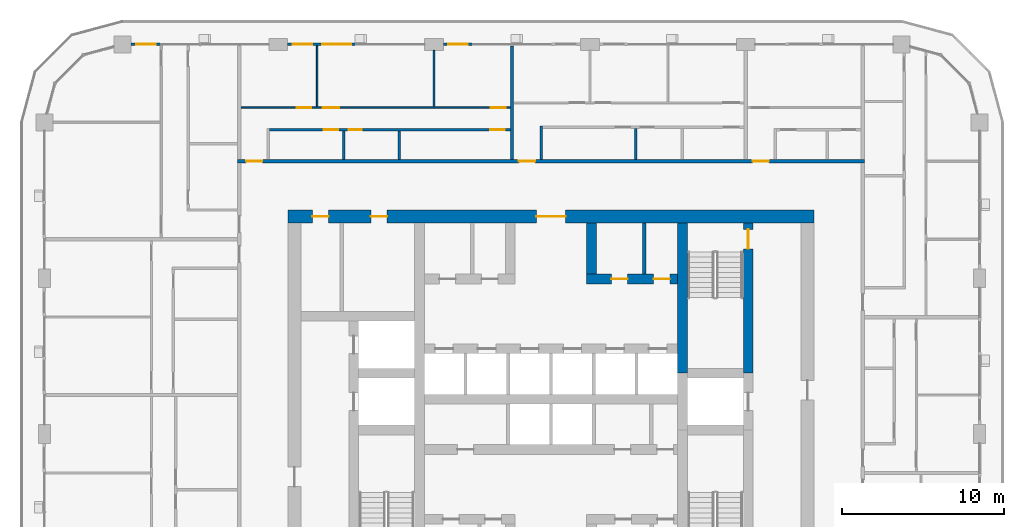
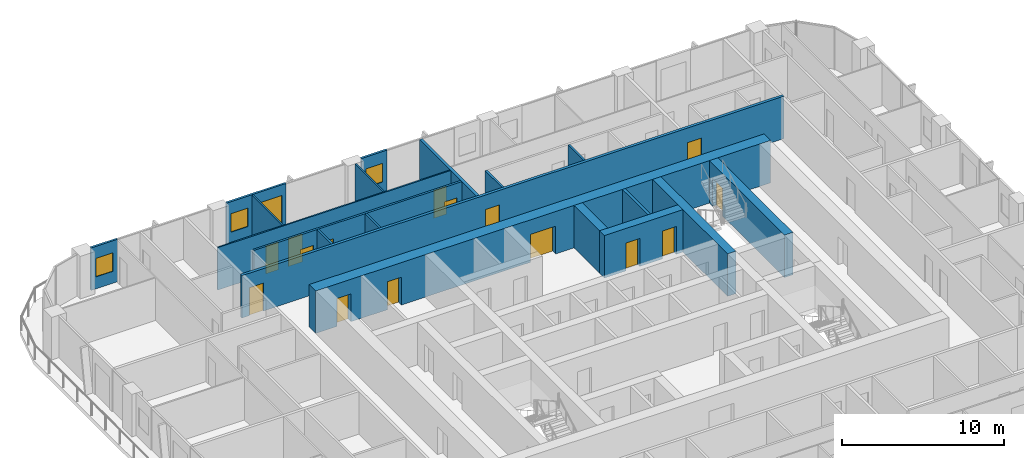
# One storey, part 14 of 22: 19 walls, 16 doors, 3 windows, 19 openings.
"""IFC4 building model written with IfcOpenShell, lengths in metres."""

from ifc_helpers import new_model, si_unit, direction, frame, frame_2d, origin, place, context, subcontext, project, spatial, rectangle, extrude, material, layer, layer_set, type_object, element, fill, save


model = new_model("IFC4")

# Units and contexts
model_context = context("Model", 3, precision=1e-05, world=origin(), true_north=direction((0.0, 1.0)))
body_context = subcontext(model_context, "Body", "Model", "MODEL_VIEW")
ifc_project = project(units=[si_unit("LENGTHUNIT", "METRE"), si_unit("AREAUNIT", "SQUARE_METRE"), si_unit("VOLUMEUNIT", "CUBIC_METRE"), si_unit("PLANEANGLEUNIT", "RADIAN"), si_unit("MASSUNIT", "GRAM", prefix="KILO")], contexts=[model_context])

# Site, building, storey
site_placement = place(None, origin())
site = spatial("IfcSite", under=ifc_project, at=site_placement, CompositionType="ELEMENT")
building_placement = place(site_placement, origin())
building = spatial("IfcBuilding", under=site, at=building_placement, Name="Madar Terraces", CompositionType="ELEMENT")
storey_placement = place(building_placement, frame((0.0, 0.0, 159.5)))
storey = spatial("IfcBuildingStorey", under=building, at=storey_placement, Name="L41", CompositionType="ELEMENT", Elevation=159.5)

# Wall
ifc_material_1 = material(Name="Concrete C70/85", Category="concrete")
ifc_layer_1 = layer(ifc_material_1, 0.60009765625)
ifc_layer_set_1 = layer_set([ifc_layer_1], Name="Concrete C70/85 (CIW3 RC wall 600)")
wall_type_1 = type_object("IfcWallType", Name="CIW3 RC wall 600", PredefinedType="SHEAR", material=ifc_layer_set_1)
wall_1_placement = place(storey_placement, frame((39.300048828125, 27.75, 0.0), z_axis=(0.0, 0.0, 1.0), x_axis=(0.0, 1.0, 0.0)))
element("IfcWall", 1, at=wall_1_placement, inside=storey, type_object=wall_type_1, Name="CORE SHAFT WALL", PredefinedType="SHEAR", context=body_context, shape_type="SweptSolid", body=[
    extrude(rectangle(XDim=9.25, YDim=0.60009765625, at=frame_2d((4.625, 0.0))), origin(), (0.0, 0.0, 1.0), 3.199951171875),
])

# Wall, opening, door
wall_2_placement = place(storey_placement, frame((43.35009765625, 27.75, 0.0), z_axis=(0.0, 0.0, 1.0), x_axis=(0.0, 1.0, 0.0)))
wall_2 = element("IfcWall", 2, at=wall_2_placement, inside=storey, type_object=wall_type_1, Name="CORE SHAFT WALL", PredefinedType="SHEAR", context=body_context, shape_type="SweptSolid", body=[
    extrude(rectangle(XDim=9.25, YDim=0.60009765625, at=frame_2d((4.625, 0.0))), origin(), (0.0, 0.0, 1.0), 3.199951171875),
])
opening_1_placement = place(wall_2_placement, frame((7.64990234375, 0.0, 0.0)))
opening_1 = element("IfcOpeningElement", 3, at=opening_1_placement, cuts=wall_2, Name="Opening SD1", PredefinedType="OPENING", context=body_context, shape_type="SweptSolid", body=[
    extrude(rectangle(XDim=1.199951171875, YDim=2.10009765625, at=frame_2d((0.60009765625, 1.050048828125))), frame((0.0, 0.31005859375, 0.0), z_axis=(0.0, -1.0, 0.0), x_axis=(1.0, 0.0, 0.0)), (0.0, 0.0, 1.0), 0.6201171875),
])
ifc_material_2 = material(Name="Steel door leaf", Category="steel")
door_type_1 = type_object("IfcDoorType", Name="Stair door 1200 x 2100", OperationType="NOTDEFINED", PredefinedType="DOOR", material=ifc_material_2)
door_1_placement = place(opening_1_placement, origin())
door_1 = element("IfcDoor", 4, at=door_1_placement, inside=storey, type_object=door_type_1, Name="STAIR DOOR", OperationType="SINGLE_SWING_LEFT", OverallHeight=2.10009765625, OverallWidth=1.199951171875, PredefinedType="DOOR", context=body_context, shape_type="SweptSolid", body=[
    extrude(rectangle(XDim=1.199951171875, YDim=2.10009765625, at=frame_2d((0.60009765625, 1.050048828125))), frame((0.0, 0.02490234375, 0.0), z_axis=(0.0, -1.0, 0.0), x_axis=(1.0, 0.0, 0.0)), (0.0, 0.0, 1.0), 0.050048828125),
])
fill(opening_1, door_1)

# Wall, openings, doors
wall_3_placement = place(storey_placement, frame((33.39990234375, 33.550048828125, 0.0), z_axis=(0.0, 0.0, 1.0), x_axis=(1.0, 0.0, 0.0)))
wall_3 = element("IfcWall", 5, at=wall_3_placement, inside=storey, type_object=wall_type_1, Name="CORE SHAFT WALL", PredefinedType="SHEAR", context=body_context, shape_type="SweptSolid", body=[
    extrude(rectangle(XDim=5.60009765625, YDim=0.60009765625, at=frame_2d((2.800048828125, 0.0))), origin(), (0.0, 0.0, 1.0), 3.199951171875),
])
opening_2_placement = place(wall_3_placement, frame((1.52490234375, 0.0, 0.0)))
opening_2 = element("IfcOpeningElement", 6, at=opening_2_placement, cuts=wall_3, Name="Opening KD2", PredefinedType="OPENING", context=body_context, shape_type="SweptSolid", body=[
    extrude(rectangle(XDim=1.0, YDim=2.10009765625, at=frame_2d((0.5, 1.050048828125))), frame((0.0, 0.31005859375, 0.0), z_axis=(0.0, -1.0, 0.0), x_axis=(1.0, 0.0, 0.0)), (0.0, 0.0, 1.0), 0.6201171875),
])
opening_3_placement = place(wall_3_placement, frame((4.125, 0.0, 0.0)))
opening_3 = element("IfcOpeningElement", 7, at=opening_3_placement, cuts=wall_3, Name="Opening KD2", PredefinedType="OPENING", context=body_context, shape_type="SweptSolid", body=[
    extrude(rectangle(XDim=1.0, YDim=2.10009765625, at=frame_2d((0.5, 1.050048828125))), frame((0.0, 0.31005859375, 0.0), z_axis=(0.0, -1.0, 0.0), x_axis=(1.0, 0.0, 0.0)), (0.0, 0.0, 1.0), 0.6201171875),
])
ifc_material_3 = material(Name="Steel door leaf", Category="steel")
door_type_2 = type_object("IfcDoorType", Name="Service room door 1000 x 2100", OperationType="NOTDEFINED", PredefinedType="DOOR", material=ifc_material_3)
door_2_placement = place(opening_2_placement, frame((1.0, 0.0, 0.0), z_axis=(0.0, 0.0, 1.0), x_axis=(-1.0, 0.0, 0.0)))
door_2 = element("IfcDoor", 8, at=door_2_placement, inside=storey, type_object=door_type_2, Name="SERVICE ROOM DOOR", OperationType="SINGLE_SWING_LEFT", OverallHeight=2.10009765625, OverallWidth=1.0, PredefinedType="DOOR", context=body_context, shape_type="SweptSolid", body=[
    extrude(rectangle(XDim=1.0, YDim=2.10009765625, at=frame_2d((0.5, 1.050048828125))), frame((0.0, 0.02490234375, 0.0), z_axis=(0.0, -1.0, 0.0), x_axis=(1.0, 0.0, 0.0)), (0.0, 0.0, 1.0), 0.050048828125),
])
fill(opening_2, door_2)
door_3_placement = place(opening_3_placement, frame((1.0, 0.0, 0.0), z_axis=(0.0, 0.0, 1.0), x_axis=(-1.0, 0.0, 0.0)))
door_3 = element("IfcDoor", 9, at=door_3_placement, inside=storey, type_object=door_type_2, Name="SERVICE ROOM DOOR", OperationType="SINGLE_SWING_RIGHT", OverallHeight=2.10009765625, OverallWidth=1.0, PredefinedType="DOOR", context=body_context, shape_type="SweptSolid", body=[
    extrude(rectangle(XDim=1.0, YDim=2.10009765625, at=frame_2d((0.5, 1.050048828125))), frame((0.0, 0.02490234375, 0.0), z_axis=(0.0, -1.0, 0.0), x_axis=(1.0, 0.0, 0.0)), (0.0, 0.0, 1.0), 0.050048828125),
])
fill(opening_3, door_3)

# Wall
wall_4_placement = place(storey_placement, frame((33.699951171875, 33.85009765625, 0.0), z_axis=(0.0, 0.0, 1.0), x_axis=(0.0, 1.0, 0.0)))
element("IfcWall", 10, at=wall_4_placement, inside=storey, type_object=wall_type_1, Name="CORE SHAFT WALL", PredefinedType="SHEAR", context=body_context, shape_type="SweptSolid", body=[
    extrude(rectangle(XDim=3.14990234375, YDim=0.60009765625, at=frame_2d((1.574951171875, 0.0))), origin(), (0.0, 0.0, 1.0), 3.199951171875),
])

# Wall, openings, doors
ifc_material_4 = material(Name="Concrete C70/85", Category="concrete")
ifc_layer_2 = layer(ifc_material_4, 0.800048828125)
ifc_layer_set_2 = layer_set([ifc_layer_2], Name="Concrete C70/85 (CRW3 RC wall 800)")
wall_type_2 = type_object("IfcWallType", Name="CRW3 RC wall 800", PredefinedType="SHEAR", material=ifc_layer_set_2)
wall_5_placement = place(storey_placement, frame((15.0, 37.39990234375, 0.0), z_axis=(0.0, 0.0, 1.0), x_axis=(1.0, 0.0, 0.0)))
wall_5 = element("IfcWall", 11, at=wall_5_placement, inside=storey, type_object=wall_type_2, Name="CORE OUTER WALL", PredefinedType="SHEAR", context=body_context, shape_type="SweptSolid", body=[
    extrude(rectangle(XDim=32.39990234375, YDim=0.800048828125, at=frame_2d((16.199951171875, 0.0))), origin(), (0.0, 0.0, 1.0), 3.199951171875),
])
opening_4_placement = place(wall_5_placement, frame((15.300048828125, 0.0, 0.0)))
opening_4 = element("IfcOpeningElement", 12, at=opening_4_placement, cuts=wall_5, Name="Opening KD1", PredefinedType="OPENING", context=body_context, shape_type="SweptSolid", body=[
    extrude(rectangle(XDim=1.800048828125, YDim=2.10009765625, at=frame_2d((0.89990234375, 1.050048828125))), frame((0.0, 0.409912109375, 0.0), z_axis=(0.0, -1.0, 0.0), x_axis=(1.0, 0.0, 0.0)), (0.0, 0.0, 1.0), 0.820068359375),
])
opening_5_placement = place(wall_5_placement, frame((1.510009765625, 0.0, 0.0)))
opening_5 = element("IfcOpeningElement", 13, at=opening_5_placement, cuts=wall_5, Name="Opening KD2", PredefinedType="OPENING", context=body_context, shape_type="SweptSolid", body=[
    extrude(rectangle(XDim=1.0, YDim=2.10009765625, at=frame_2d((0.5, 1.050048828125))), frame((0.0, 0.409912109375, 0.0), z_axis=(0.0, -1.0, 0.0), x_axis=(1.0, 0.0, 0.0)), (0.0, 0.0, 1.0), 0.820068359375),
])
opening_6_placement = place(wall_5_placement, frame((5.110107421875, 0.0, 0.0)))
opening_6 = element("IfcOpeningElement", 14, at=opening_6_placement, cuts=wall_5, Name="Opening KD2", PredefinedType="OPENING", context=body_context, shape_type="SweptSolid", body=[
    extrude(rectangle(XDim=1.0, YDim=2.10009765625, at=frame_2d((0.5, 1.050048828125))), frame((0.0, 0.409912109375, 0.0), z_axis=(0.0, -1.0, 0.0), x_axis=(1.0, 0.0, 0.0)), (0.0, 0.0, 1.0), 0.820068359375),
])
ifc_material_5 = material(Name="Steel door leaf", Category="steel")
door_type_3 = type_object("IfcDoorType", Name="Lobby door pair 1800 x 2100", OperationType="DOUBLE_DOOR_SINGLE_SWING", PredefinedType="DOOR", material=ifc_material_5)
door_4_placement = place(opening_4_placement, origin())
door_4 = element("IfcDoor", 15, at=door_4_placement, inside=storey, type_object=door_type_3, Name="LIFT LOBBY DOOR", OperationType="DOUBLE_DOOR_SINGLE_SWING", OverallHeight=2.10009765625, OverallWidth=1.800048828125, PredefinedType="DOOR", context=body_context, shape_type="SweptSolid", body=[
    extrude(rectangle(XDim=1.800048828125, YDim=2.10009765625, at=frame_2d((0.89990234375, 1.050048828125))), frame((0.0, 0.02490234375, 0.0), z_axis=(0.0, -1.0, 0.0), x_axis=(1.0, 0.0, 0.0)), (0.0, 0.0, 1.0), 0.050048828125),
])
fill(opening_4, door_4)
door_5_placement = place(opening_5_placement, origin())
door_5 = element("IfcDoor", 16, at=door_5_placement, inside=storey, type_object=door_type_2, Name="SERVICE ROOM DOOR", OperationType="SINGLE_SWING_RIGHT", OverallHeight=2.10009765625, OverallWidth=1.0, PredefinedType="DOOR", context=body_context, shape_type="SweptSolid", body=[
    extrude(rectangle(XDim=1.0, YDim=2.10009765625, at=frame_2d((0.5, 1.050048828125))), frame((0.0, 0.02490234375, 0.0), z_axis=(0.0, -1.0, 0.0), x_axis=(1.0, 0.0, 0.0)), (0.0, 0.0, 1.0), 0.050048828125),
])
fill(opening_5, door_5)
door_6_placement = place(opening_6_placement, origin())
door_6 = element("IfcDoor", 17, at=door_6_placement, inside=storey, type_object=door_type_2, Name="SERVICE ROOM DOOR", OperationType="SINGLE_SWING_LEFT", OverallHeight=2.10009765625, OverallWidth=1.0, PredefinedType="DOOR", context=body_context, shape_type="SweptSolid", body=[
    extrude(rectangle(XDim=1.0, YDim=2.10009765625, at=frame_2d((0.5, 1.050048828125))), frame((0.0, 0.02490234375, 0.0), z_axis=(0.0, -1.0, 0.0), x_axis=(1.0, 0.0, 0.0)), (0.0, 0.0, 1.0), 0.050048828125),
])
fill(opening_6, door_6)

# Wall
ifc_material_6 = material(Name="Masonry blockwork", Category="masonry")
ifc_layer_3 = layer(ifc_material_6, 0.199951171875)
ifc_layer_set_3 = layer_set([ifc_layer_3], Name="Core partition 200 blockwork")
wall_type_3 = type_object("IfcWallType", Name="Core partition 200 blockwork", PredefinedType="PARTITIONING", material=ifc_layer_set_3)
wall_6_placement = place(storey_placement, frame((36.949951171875, 33.85009765625, 0.0), z_axis=(0.0, 0.0, 1.0), x_axis=(0.0, 1.0, 0.0)))
element("IfcWall", 18, at=wall_6_placement, inside=storey, type_object=wall_type_3, Name="SERVICE ROOM PARTITION", PredefinedType="PARTITIONING", context=body_context, shape_type="SweptSolid", body=[
    extrude(rectangle(XDim=3.14990234375, YDim=0.199951171875, at=frame_2d((1.574951171875, 0.0))), origin(), (0.0, 0.0, 1.0), 3.199951171875),
])

# Wall, opening, window
ifc_material_7 = material(Name="Aluminium composite panel, black, over insulated backing", Category="aluminium")
ifc_layer_4 = layer(ifc_material_7, 0.14990234375)
ifc_layer_set_4 = layer_set([ifc_layer_4], Name="Facade bay panel 150")
wall_type_4 = type_object("IfcWallType", Name="Facade bay panel 150", PredefinedType="SOLIDWALL", material=ifc_layer_set_4)
wall_7_placement = place(storey_placement, frame((26.39990234375, 48.0, 0.0), z_axis=(0.0, 0.0, 1.0), x_axis=(-1.0, 0.0, 0.0)))
wall_7 = element("IfcWall", 19, at=wall_7_placement, inside=storey, type_object=wall_type_4, Name="Facade bay panel", PredefinedType="SOLIDWALL", context=body_context, shape_type="SweptSolid", body=[
    extrude(rectangle(XDim=1.824951171875, YDim=0.14990234375, at=frame_2d((0.91259765625, 0.0))), origin(), (0.0, 0.0, 1.0), 3.199951171875),
])
opening_7_placement = place(wall_7_placement, frame((0.3125, 0.0, 0.89990234375)))
opening_7 = element("IfcOpeningElement", 20, at=opening_7_placement, cuts=wall_7, Name="Opening W1", PredefinedType="OPENING", context=body_context, shape_type="SweptSolid", body=[
    extrude(rectangle(XDim=1.199951171875, YDim=1.39990234375, at=frame_2d((0.60009765625, 0.699951171875))), frame((0.0, 0.0849609375, 0.0), z_axis=(0.0, -1.0, 0.0), x_axis=(1.0, 0.0, 0.0)), (0.0, 0.0, 1.0), 0.169921875),
])
ifc_material_8 = material(Name="Glass, clear, with black aluminium frame", Category="aluminium")
window_type = type_object("IfcWindowType", Name="Vent window 1200 x 1400", PartitioningType="SINGLE_PANEL", PredefinedType="WINDOW", material=ifc_material_8)
window_1_placement = place(opening_7_placement, origin())
window_1 = element("IfcWindow", 21, at=window_1_placement, inside=storey, type_object=window_type, Name="Operable vent window", OverallHeight=1.39990234375, OverallWidth=1.199951171875, PartitioningType="SINGLE_PANEL", PredefinedType="WINDOW", context=body_context, shape_type="SweptSolid", body=[
    extrude(rectangle(XDim=1.199951171875, YDim=1.39990234375, at=frame_2d((0.60009765625, 0.699951171875))), frame((0.0, 0.030029296875, 0.0), z_axis=(0.0, -1.0, 0.0), x_axis=(1.0, 0.0, 0.0)), (0.0, 0.0, 1.0), 0.06005859375),
])
fill(opening_7, window_1)

# Wall, openings, door, window
wall_8_placement = place(storey_placement, frame((19.199951171875, 48.0, 0.0), z_axis=(0.0, 0.0, 1.0), x_axis=(-1.0, 0.0, 0.0)))
wall_8 = element("IfcWall", 22, at=wall_8_placement, inside=storey, type_object=wall_type_4, Name="Facade bay panel", PredefinedType="SOLIDWALL", context=body_context, shape_type="SweptSolid", body=[
    extrude(rectangle(XDim=4.224853515625, YDim=0.14990234375, at=frame_2d((2.1123046875, 0.0))), origin(), (0.0, 0.0, 1.0), 3.199951171875),
])
opening_8_placement = place(wall_8_placement, frame((0.300048828125, 0.0, 0.0)))
opening_8 = element("IfcOpeningElement", 23, at=opening_8_placement, cuts=wall_8, Name="Opening ED1", PredefinedType="OPENING", context=body_context, shape_type="SweptSolid", body=[
    extrude(rectangle(XDim=1.800048828125, YDim=2.39990234375, at=frame_2d((0.89990234375, 1.199951171875))), frame((0.0, 0.0849609375, 0.0), z_axis=(0.0, -1.0, 0.0), x_axis=(1.0, 0.0, 0.0)), (0.0, 0.0, 1.0), 0.169921875),
])
opening_9_placement = place(wall_8_placement, frame((2.71240234375, 0.0, 0.89990234375)))
opening_9 = element("IfcOpeningElement", 24, at=opening_9_placement, cuts=wall_8, Name="Opening W1", PredefinedType="OPENING", context=body_context, shape_type="SweptSolid", body=[
    extrude(rectangle(XDim=1.199951171875, YDim=1.39990234375, at=frame_2d((0.60009765625, 0.699951171875))), frame((0.0, 0.0849609375, 0.0), z_axis=(0.0, -1.0, 0.0), x_axis=(1.0, 0.0, 0.0)), (0.0, 0.0, 1.0), 0.169921875),
])
ifc_material_9 = material(Name="Glass, clear, with black aluminium frame", Category="aluminium")
door_type_4 = type_object("IfcDoorType", Name="Balcony and terrace sliding door 1800 x 2400", OperationType="SLIDING_TO_LEFT", PredefinedType="DOOR", material=ifc_material_9)
door_7_placement = place(opening_8_placement, origin())
door_7 = element("IfcDoor", 25, at=door_7_placement, inside=storey, type_object=door_type_4, Name="Balcony door", OperationType="SLIDING_TO_RIGHT", OverallHeight=2.39990234375, OverallWidth=1.800048828125, PredefinedType="DOOR", context=body_context, shape_type="SweptSolid", body=[
    extrude(rectangle(XDim=1.800048828125, YDim=2.39990234375, at=frame_2d((0.89990234375, 1.199951171875))), frame((0.0, 0.02490234375, 0.0), z_axis=(0.0, -1.0, 0.0), x_axis=(1.0, 0.0, 0.0)), (0.0, 0.0, 1.0), 0.050048828125),
])
fill(opening_8, door_7)
window_2_placement = place(opening_9_placement, origin())
window_2 = element("IfcWindow", 26, at=window_2_placement, inside=storey, type_object=window_type, Name="Operable vent window", OverallHeight=1.39990234375, OverallWidth=1.199951171875, PartitioningType="SINGLE_PANEL", PredefinedType="WINDOW", context=body_context, shape_type="SweptSolid", body=[
    extrude(rectangle(XDim=1.199951171875, YDim=1.39990234375, at=frame_2d((0.60009765625, 0.699951171875))), frame((0.0, 0.030029296875, 0.0), z_axis=(0.0, -1.0, 0.0), x_axis=(1.0, 0.0, 0.0)), (0.0, 0.0, 1.0), 0.06005859375),
])
fill(opening_9, window_2)

# Wall, opening, window
wall_9_placement = place(storey_placement, frame((7.199951171875, 48.0, 0.0), z_axis=(0.0, 0.0, 1.0), x_axis=(-1.0, 0.0, 0.0)))
wall_9 = element("IfcWall", 27, at=wall_9_placement, inside=storey, type_object=wall_type_4, Name="Facade bay panel", PredefinedType="SOLIDWALL", context=body_context, shape_type="SweptSolid", body=[
    extrude(rectangle(XDim=1.875, YDim=0.14990234375, at=frame_2d((0.9375, 0.0))), origin(), (0.0, 0.0, 1.0), 3.199951171875),
])
opening_10_placement = place(wall_9_placement, frame((0.33740234375, 0.0, 0.89990234375)))
opening_10 = element("IfcOpeningElement", 28, at=opening_10_placement, cuts=wall_9, Name="Opening W1", PredefinedType="OPENING", context=body_context, shape_type="SweptSolid", body=[
    extrude(rectangle(XDim=1.199951171875, YDim=1.39990234375, at=frame_2d((0.60009765625, 0.699951171875))), frame((0.0, 0.0849609375, 0.0), z_axis=(0.0, -1.0, 0.0), x_axis=(1.0, 0.0, 0.0)), (0.0, 0.0, 1.0), 0.169921875),
])
window_3_placement = place(opening_10_placement, origin())
window_3 = element("IfcWindow", 29, at=window_3_placement, inside=storey, type_object=window_type, Name="Operable vent window", OverallHeight=1.39990234375, OverallWidth=1.199951171875, PartitioningType="SINGLE_PANEL", PredefinedType="WINDOW", context=body_context, shape_type="SweptSolid", body=[
    extrude(rectangle(XDim=1.199951171875, YDim=1.39990234375, at=frame_2d((0.60009765625, 0.699951171875))), frame((0.0, 0.030029296875, 0.0), z_axis=(0.0, -1.0, 0.0), x_axis=(1.0, 0.0, 0.0)), (0.0, 0.0, 1.0), 0.06005859375),
])
fill(opening_10, window_3)

# Walls
ifc_material_10 = material(Name="Gypsum board on steel studs", Category="steel")
ifc_layer_5 = layer(ifc_material_10, 0.10009765625)
ifc_layer_set_5 = layer_set([ifc_layer_5], Name="Flat partition 100")
wall_type_5 = type_object("IfcWallType", Name="Flat partition 100", PredefinedType="PARTITIONING", material=ifc_layer_set_5)
wall_10_placement = place(storey_placement, frame((16.800048828125, 44.14990234375, 0.0), z_axis=(0.0, 0.0, 1.0), x_axis=(0.0, 1.0, 0.0)))
element("IfcWall", 30, at=wall_10_placement, inside=storey, type_object=wall_type_5, Name="Flat partition 100", PredefinedType="PARTITIONING", context=body_context, shape_type="SweptSolid", body=[
    extrude(rectangle(XDim=3.75, YDim=0.10009765625, at=frame_2d((1.875, 0.0))), origin(), (0.0, 0.0, 1.0), 3.199951171875),
])
wall_11_placement = place(storey_placement, frame((24.0, 44.14990234375, 0.0), z_axis=(0.0, 0.0, 1.0), x_axis=(0.0, 1.0, 0.0)))
element("IfcWall", 31, at=wall_11_placement, inside=storey, type_object=wall_type_5, Name="Flat partition 100", PredefinedType="PARTITIONING", context=body_context, shape_type="SweptSolid", body=[
    extrude(rectangle(XDim=3.47509765625, YDim=0.10009765625, at=frame_2d((1.737548828125, 0.0))), origin(), (0.0, 0.0, 1.0), 3.199951171875),
])

# Wall, openings, doors
wall_12_placement = place(storey_placement, frame((12.10009765625, 44.10009765625, 0.0), z_axis=(0.0, 0.0, 1.0), x_axis=(1.0, 0.0, 0.0)))
wall_12 = element("IfcWall", 32, at=wall_12_placement, inside=storey, type_object=wall_type_5, Name="Flat partition 100", PredefinedType="PARTITIONING", context=body_context, shape_type="SweptSolid", body=[
    extrude(rectangle(XDim=16.599853515625, YDim=0.10009765625, at=frame_2d((8.2998046875, 0.0))), origin(), (0.0, 0.0, 1.0), 3.199951171875),
])
opening_11_placement = place(wall_12_placement, frame((3.449951171875, 0.0, 0.0)))
opening_11 = element("IfcOpeningElement", 33, at=opening_11_placement, cuts=wall_12, Name="Opening D2", PredefinedType="OPENING", context=body_context, shape_type="SweptSolid", body=[
    extrude(rectangle(XDim=0.89990234375, YDim=2.10009765625, at=frame_2d((0.449951171875, 1.050048828125))), frame((0.0, 0.06005859375, 0.0), z_axis=(0.0, -1.0, 0.0), x_axis=(1.0, 0.0, 0.0)), (0.0, 0.0, 1.0), 0.1201171875),
])
opening_12_placement = place(wall_12_placement, frame((5.050048828125, 0.0, 0.0)))
opening_12 = element("IfcOpeningElement", 34, at=opening_12_placement, cuts=wall_12, Name="Opening D3", PredefinedType="OPENING", context=body_context, shape_type="SweptSolid", body=[
    extrude(rectangle(XDim=1.0, YDim=2.10009765625, at=frame_2d((0.5, 1.050048828125))), frame((0.0, 0.06005859375, 0.0), z_axis=(0.0, -1.0, 0.0), x_axis=(1.0, 0.0, 0.0)), (0.0, 0.0, 1.0), 0.1201171875),
])
opening_13_placement = place(wall_12_placement, frame((15.39990234375, 0.0, 0.0)))
opening_13 = element("IfcOpeningElement", 35, at=opening_13_placement, cuts=wall_12, Name="Opening D2", PredefinedType="OPENING", context=body_context, shape_type="SweptSolid", body=[
    extrude(rectangle(XDim=0.89990234375, YDim=2.10009765625, at=frame_2d((0.449951171875, 1.050048828125))), frame((0.0, 0.06005859375, 0.0), z_axis=(0.0, -1.0, 0.0), x_axis=(1.0, 0.0, 0.0)), (0.0, 0.0, 1.0), 0.1201171875),
])
ifc_material_11 = material(Name="Timber door leaf", Category="wood")
door_type_5 = type_object("IfcDoorType", Name="Flat living room door 1000", OperationType="NOTDEFINED", PredefinedType="DOOR", material=ifc_material_11)
door_8_placement = place(opening_12_placement, origin())
door_8 = element("IfcDoor", 36, at=door_8_placement, inside=storey, type_object=door_type_5, Name="Flat living room door 1000", OperationType="SINGLE_SWING_LEFT", OverallHeight=2.10009765625, OverallWidth=1.0, PredefinedType="DOOR", context=body_context, shape_type="SweptSolid", body=[
    extrude(rectangle(XDim=1.0, YDim=2.10009765625, at=frame_2d((0.5, 1.050048828125))), frame((0.0, 0.02490234375, 0.0), z_axis=(0.0, -1.0, 0.0), x_axis=(1.0, 0.0, 0.0)), (0.0, 0.0, 1.0), 0.050048828125),
])
fill(opening_12, door_8)
ifc_material_12 = material(Name="Timber door leaf", Category="wood")
door_type_6 = type_object("IfcDoorType", Name="Flat room door 900", OperationType="NOTDEFINED", PredefinedType="DOOR", material=ifc_material_12)
door_9_placement = place(opening_11_placement, origin())
door_9 = element("IfcDoor", 37, at=door_9_placement, inside=storey, type_object=door_type_6, Name="Flat room door 900", OperationType="SINGLE_SWING_RIGHT", OverallHeight=2.10009765625, OverallWidth=0.89990234375, PredefinedType="DOOR", context=body_context, shape_type="SweptSolid", body=[
    extrude(rectangle(XDim=0.89990234375, YDim=2.10009765625, at=frame_2d((0.449951171875, 1.050048828125))), frame((0.0, 0.02490234375, 0.0), z_axis=(0.0, -1.0, 0.0), x_axis=(1.0, 0.0, 0.0)), (0.0, 0.0, 1.0), 0.050048828125),
])
fill(opening_11, door_9)
door_10_placement = place(opening_13_placement, origin())
door_10 = element("IfcDoor", 38, at=door_10_placement, inside=storey, type_object=door_type_6, Name="Flat room door 900", OperationType="SINGLE_SWING_RIGHT", OverallHeight=2.10009765625, OverallWidth=0.89990234375, PredefinedType="DOOR", context=body_context, shape_type="SweptSolid", body=[
    extrude(rectangle(XDim=0.89990234375, YDim=2.10009765625, at=frame_2d((0.449951171875, 1.050048828125))), frame((0.0, 0.02490234375, 0.0), z_axis=(0.0, -1.0, 0.0), x_axis=(1.0, 0.0, 0.0)), (0.0, 0.0, 1.0), 0.050048828125),
])
fill(opening_13, door_10)

ifc_material_13 = material(Name="Lightweight blockwork", Category="masonry")
ifc_layer_6 = layer(ifc_material_13, 0.199951171875)
ifc_layer_set_6 = layer_set([ifc_layer_6], Name="Flat party and entrance wall 200")
wall_type_6 = type_object("IfcWallType", Name="Flat party and entrance wall 200", PredefinedType="PARTITIONING", material=ifc_layer_set_6)
wall_13_placement = place(storey_placement, frame((11.89990234375, 40.800048828125, 0.0), z_axis=(0.0, 0.0, 1.0), x_axis=(1.0, 0.0, 0.0)))
wall_13 = element("IfcWall", 39, at=wall_13_placement, inside=storey, type_object=wall_type_6, Name="Flat party and entrance wall 200", PredefinedType="PARTITIONING", context=body_context, shape_type="SweptSolid", body=[
    extrude(rectangle(XDim=38.60009765625, YDim=0.199951171875, at=frame_2d((19.300048828125, 0.0))), origin(), (0.0, 0.0, 1.0), 3.199951171875),
])
opening_14_placement = place(wall_13_placement, frame((31.72509765625, 0.0, 0.0)))
opening_14 = element("IfcOpeningElement", 40, at=opening_14_placement, cuts=wall_13, Name="Opening D1", PredefinedType="OPENING", context=body_context, shape_type="SweptSolid", body=[
    extrude(rectangle(XDim=1.0, YDim=2.10009765625, at=frame_2d((0.5, 1.050048828125))), frame((0.0, 0.10986328125, 0.0), z_axis=(0.0, -1.0, 0.0), x_axis=(1.0, 0.0, 0.0)), (0.0, 0.0, 1.0), 0.219970703125),
])
opening_15_placement = place(wall_13_placement, frame((17.324951171875, 0.0, 0.0)))
opening_15 = element("IfcOpeningElement", 41, at=opening_15_placement, cuts=wall_13, Name="Opening D1", PredefinedType="OPENING", context=body_context, shape_type="SweptSolid", body=[
    extrude(rectangle(XDim=1.0, YDim=2.10009765625, at=frame_2d((0.5, 1.050048828125))), frame((0.0, 0.10986328125, 0.0), z_axis=(0.0, -1.0, 0.0), x_axis=(1.0, 0.0, 0.0)), (0.0, 0.0, 1.0), 0.219970703125),
])
opening_16_placement = place(wall_13_placement, frame((0.52490234375, 0.0, 0.0)))
opening_16 = element("IfcOpeningElement", 42, at=opening_16_placement, cuts=wall_13, Name="Opening D1", PredefinedType="OPENING", context=body_context, shape_type="SweptSolid", body=[
    extrude(rectangle(XDim=1.0, YDim=2.10009765625, at=frame_2d((0.5, 1.050048828125))), frame((0.0, 0.10986328125, 0.0), z_axis=(0.0, -1.0, 0.0), x_axis=(1.0, 0.0, 0.0)), (0.0, 0.0, 1.0), 0.219970703125),
])
ifc_material_14 = material(Name="Timber fire door leaf", Category="wood")
door_type_7 = type_object("IfcDoorType", Name="Flat entrance door 1000 FD30S", OperationType="NOTDEFINED", PredefinedType="DOOR", material=ifc_material_14)
door_11_placement = place(opening_14_placement, origin())
door_11 = element("IfcDoor", 43, at=door_11_placement, inside=storey, type_object=door_type_7, Name="Flat entrance door 1000 FD30S", OperationType="SINGLE_SWING_LEFT", OverallHeight=2.10009765625, OverallWidth=1.0, PredefinedType="DOOR", context=body_context, shape_type="SweptSolid", body=[
    extrude(rectangle(XDim=1.0, YDim=2.10009765625, at=frame_2d((0.5, 1.050048828125))), frame((0.0, 0.02490234375, 0.0), z_axis=(0.0, -1.0, 0.0), x_axis=(1.0, 0.0, 0.0)), (0.0, 0.0, 1.0), 0.050048828125),
])
fill(opening_14, door_11)
door_12_placement = place(opening_15_placement, origin())
door_12 = element("IfcDoor", 44, at=door_12_placement, inside=storey, type_object=door_type_7, Name="Flat entrance door 1000 FD30S", OperationType="SINGLE_SWING_LEFT", OverallHeight=2.10009765625, OverallWidth=1.0, PredefinedType="DOOR", context=body_context, shape_type="SweptSolid", body=[
    extrude(rectangle(XDim=1.0, YDim=2.10009765625, at=frame_2d((0.5, 1.050048828125))), frame((0.0, 0.02490234375, 0.0), z_axis=(0.0, -1.0, 0.0), x_axis=(1.0, 0.0, 0.0)), (0.0, 0.0, 1.0), 0.050048828125),
])
fill(opening_15, door_12)
door_13_placement = place(opening_16_placement, origin())
door_13 = element("IfcDoor", 45, at=door_13_placement, inside=storey, type_object=door_type_7, Name="Flat entrance door 1000 FD30S", OperationType="SINGLE_SWING_LEFT", OverallHeight=2.10009765625, OverallWidth=1.0, PredefinedType="DOOR", context=body_context, shape_type="SweptSolid", body=[
    extrude(rectangle(XDim=1.0, YDim=2.10009765625, at=frame_2d((0.5, 1.050048828125))), frame((0.0, 0.02490234375, 0.0), z_axis=(0.0, -1.0, 0.0), x_axis=(1.0, 0.0, 0.0)), (0.0, 0.0, 1.0), 0.050048828125),
])
fill(opening_16, door_13)

# Walls
wall_14_placement = place(storey_placement, frame((28.800048828125, 47.89990234375, 0.0), z_axis=(0.0, 0.0, 1.0), x_axis=(0.0, -1.0, 0.0)))
element("IfcWall", 46, at=wall_14_placement, inside=storey, type_object=wall_type_6, Name="Flat party and entrance wall 200", PredefinedType="PARTITIONING", context=body_context, shape_type="SweptSolid", body=[
    extrude(rectangle(XDim=7.0, YDim=0.199951171875, at=frame_2d((3.5, 0.0))), origin(), (0.0, 0.0, 1.0), 3.199951171875),
])
ifc_material_15 = material(Name="Lightweight blockwork", Category="masonry")
ifc_layer_7 = layer(ifc_material_15, 0.14990234375)
ifc_layer_set_7 = layer_set([ifc_layer_7], Name="Flat wet-room partition 150")
wall_type_7 = type_object("IfcWallType", Name="Flat wet-room partition 150", PredefinedType="PARTITIONING", material=ifc_layer_set_7)
wall_15_placement = place(storey_placement, frame((36.40966796875, 40.89990234375, 0.0), z_axis=(0.0, 0.0, 1.0), x_axis=(0.0, 1.0, 0.0)))
element("IfcWall", 47, at=wall_15_placement, inside=storey, type_object=wall_type_7, Name="Flat wet-room partition 150", PredefinedType="PARTITIONING", context=body_context, shape_type="SweptSolid", body=[
    extrude(rectangle(XDim=1.925048828125, YDim=0.14990234375, at=frame_2d((0.96240234375, 0.0))), origin(), (0.0, 0.0, 1.0), 3.199951171875),
])
wall_16_placement = place(storey_placement, frame((30.60009765625, 40.89990234375, 0.0), z_axis=(0.0, 0.0, 1.0), x_axis=(0.0, 1.0, 0.0)))
element("IfcWall", 48, at=wall_16_placement, inside=storey, type_object=wall_type_7, Name="Flat wet-room partition 150", PredefinedType="PARTITIONING", context=body_context, shape_type="SweptSolid", body=[
    extrude(rectangle(XDim=2.0751953125, YDim=0.14990234375, at=frame_2d((1.03759765625, 0.0))), origin(), (0.0, 0.0, 1.0), 3.199951171875),
])
for number, where, z_axis, x_axis, name in (
    (49, (18.4365234375, 40.89990234375, 0.0), (0.0, 0.0, 1.0), (0.0, 1.0, 0.0), "Flat wet-room partition 150"),
    (50, (21.857666015625, 40.89990234375, 0.0), (0.0, 0.0, 1.0), (0.0, 1.0, 0.0), "Flat wet-room partition 150"),
):
    element("IfcWall", number, at=place(storey_placement, frame(where, z_axis=z_axis, x_axis=x_axis)), inside=storey, type_object=wall_type_7, Name=name, PredefinedType="PARTITIONING", context=body_context, shape_type="SweptSolid", body=[
        extrude(rectangle(XDim=1.775146484375, YDim=0.14990234375, at=frame_2d((0.8876953125, 0.0))), origin(), (0.0, 0.0, 1.0), 3.199951171875),
    ])

# Wall, openings, doors
wall_17_placement = place(storey_placement, frame((28.699951171875, 42.75, 0.0), z_axis=(0.0, 0.0, 1.0), x_axis=(-1.0, 0.0, 0.0)))
wall_17 = element("IfcWall", 51, at=wall_17_placement, inside=storey, type_object=wall_type_7, Name="Flat wet-room partition 150", PredefinedType="PARTITIONING", context=body_context, shape_type="SweptSolid", body=[
    extrude(rectangle(XDim=14.824951171875, YDim=0.14990234375, at=frame_2d((7.41259765625, 0.0))), origin(), (0.0, 0.0, 1.0), 3.199951171875),
])
opening_17_placement = place(wall_17_placement, frame((10.58837890625, 0.0, 0.0)))
opening_17 = element("IfcOpeningElement", 52, at=opening_17_placement, cuts=wall_17, Name="Opening D5", PredefinedType="OPENING", context=body_context, shape_type="SweptSolid", body=[
    extrude(rectangle(XDim=0.89990234375, YDim=2.10009765625, at=frame_2d((0.449951171875, 1.050048828125))), frame((0.0, 0.0849609375, 0.0), z_axis=(0.0, -1.0, 0.0), x_axis=(1.0, 0.0, 0.0)), (0.0, 0.0, 1.0), 0.169921875),
])
opening_18_placement = place(wall_17_placement, frame((9.138427734375, 0.0, 0.0)))
opening_18 = element("IfcOpeningElement", 53, at=opening_18_placement, cuts=wall_17, Name="Opening D4", PredefinedType="OPENING", context=body_context, shape_type="SweptSolid", body=[
    extrude(rectangle(XDim=0.800048828125, YDim=2.10009765625, at=frame_2d((0.39990234375, 1.050048828125))), frame((0.0, 0.0849609375, 0.0), z_axis=(0.0, -1.0, 0.0), x_axis=(1.0, 0.0, 0.0)), (0.0, 0.0, 1.0), 0.169921875),
])
opening_19_placement = place(wall_17_placement, frame((0.35009765625, 0.0, 0.0)))
opening_19 = element("IfcOpeningElement", 54, at=opening_19_placement, cuts=wall_17, Name="Opening D2", PredefinedType="OPENING", context=body_context, shape_type="SweptSolid", body=[
    extrude(rectangle(XDim=0.89990234375, YDim=2.10009765625, at=frame_2d((0.449951171875, 1.050048828125))), frame((0.0, 0.0849609375, 0.0), z_axis=(0.0, -1.0, 0.0), x_axis=(1.0, 0.0, 0.0)), (0.0, 0.0, 1.0), 0.169921875),
])
ifc_material_16 = material(Name="Timber door leaf", Category="wood")
door_type_8 = type_object("IfcDoorType", Name="Flat accessible bathroom door 900", OperationType="NOTDEFINED", PredefinedType="DOOR", material=ifc_material_16)
door_14_placement = place(opening_17_placement, origin())
door_14 = element("IfcDoor", 55, at=door_14_placement, inside=storey, type_object=door_type_8, Name="Flat accessible bathroom door 900", OperationType="SINGLE_SWING_LEFT", OverallHeight=2.10009765625, OverallWidth=0.89990234375, PredefinedType="DOOR", context=body_context, shape_type="SweptSolid", body=[
    extrude(rectangle(XDim=0.89990234375, YDim=2.10009765625, at=frame_2d((0.449951171875, 1.050048828125))), frame((0.0, 0.02490234375, 0.0), z_axis=(0.0, -1.0, 0.0), x_axis=(1.0, 0.0, 0.0)), (0.0, 0.0, 1.0), 0.050048828125),
])
fill(opening_17, door_14)
ifc_material_17 = material(Name="Timber door leaf", Category="wood")
door_type_9 = type_object("IfcDoorType", Name="Flat bathroom door 800", OperationType="NOTDEFINED", PredefinedType="DOOR", material=ifc_material_17)
door_15_placement = place(opening_18_placement, origin())
door_15 = element("IfcDoor", 56, at=door_15_placement, inside=storey, type_object=door_type_9, Name="Flat bathroom door 800", OperationType="SINGLE_SWING_RIGHT", OverallHeight=2.10009765625, OverallWidth=0.800048828125, PredefinedType="DOOR", context=body_context, shape_type="SweptSolid", body=[
    extrude(rectangle(XDim=0.800048828125, YDim=2.10009765625, at=frame_2d((0.39990234375, 1.050048828125))), frame((0.0, 0.02490234375, 0.0), z_axis=(0.0, -1.0, 0.0), x_axis=(1.0, 0.0, 0.0)), (0.0, 0.0, 1.0), 0.050048828125),
])
fill(opening_18, door_15)
door_16_placement = place(opening_19_placement, origin())
door_16 = element("IfcDoor", 57, at=door_16_placement, inside=storey, type_object=door_type_6, Name="Flat room door 900", OperationType="SINGLE_SWING_LEFT", OverallHeight=2.10009765625, OverallWidth=0.89990234375, PredefinedType="DOOR", context=body_context, shape_type="SweptSolid", body=[
    extrude(rectangle(XDim=0.89990234375, YDim=2.10009765625, at=frame_2d((0.449951171875, 1.050048828125))), frame((0.0, 0.02490234375, 0.0), z_axis=(0.0, -1.0, 0.0), x_axis=(1.0, 0.0, 0.0)), (0.0, 0.0, 1.0), 0.050048828125),
])
fill(opening_19, door_16)

save(model, "model.ifc")
